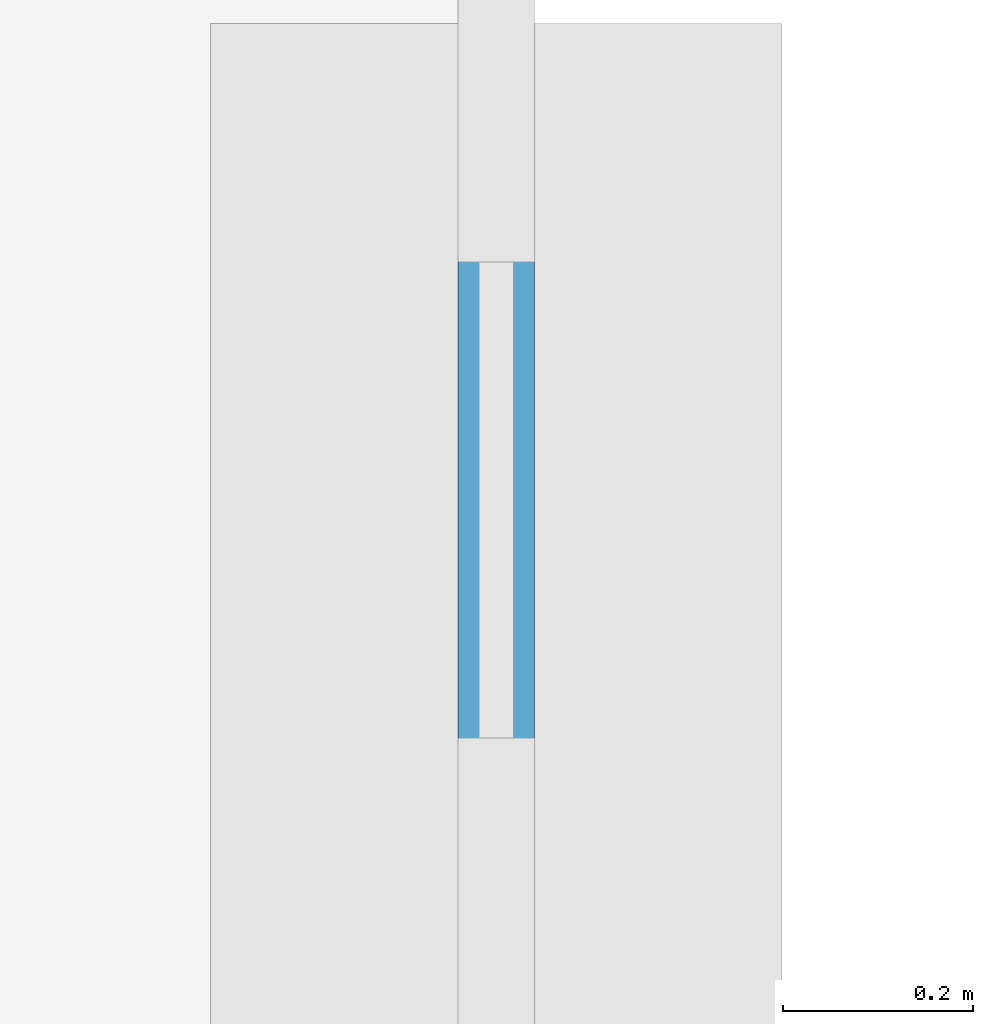
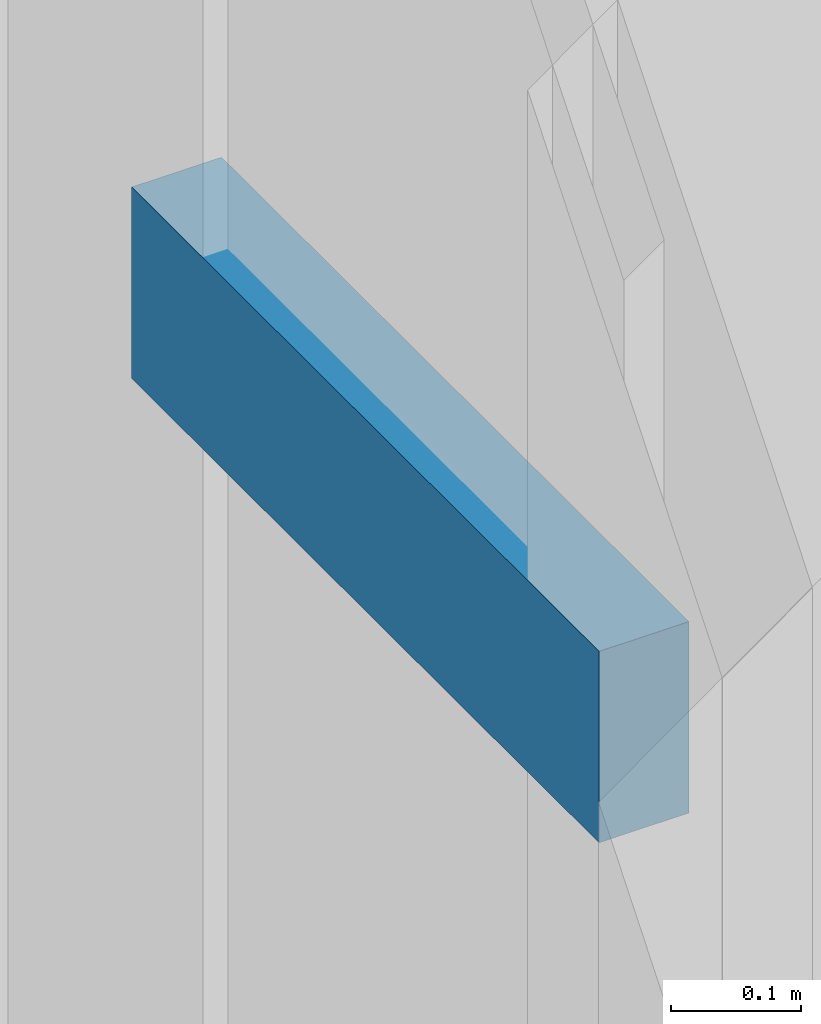
# One storey, part 10 of 33: 1 member, 1 element without a shape of its own.
"""IFC4 building model written with IfcOpenShell, lengths in metres."""

from ifc_helpers import new_model, si_unit, direction, frame, origin, origin_2d, place, context, subcontext, project, spatial, rectangle, extrude, material, material_profile, profile_set, type_object, element, aggregate, save


model = new_model("IFC4")

# Units and contexts
model_context = context("Model", 3, precision=1e-05, world=origin(), true_north=direction((0.0, 1.0)))
body_context = subcontext(model_context, "Body", "Model", "MODEL_VIEW")
ifc_project = project(units=[si_unit("LENGTHUNIT", "METRE"), si_unit("AREAUNIT", "SQUARE_METRE"), si_unit("VOLUMEUNIT", "CUBIC_METRE"), si_unit("PLANEANGLEUNIT", "RADIAN"), si_unit("MASSUNIT", "GRAM", prefix="KILO")], contexts=[model_context])

# Site, building, storey
site_placement = place(None, origin())
site = spatial("IfcSite", under=ifc_project, at=site_placement, CompositionType="ELEMENT")
building_placement = place(site_placement, origin())
building = spatial("IfcBuilding", under=site, at=building_placement, Name="Candeia Pilgrim Tower and Theatre", CompositionType="ELEMENT")
storey_placement = place(building_placement, frame((0.0, 0.0, 29.0)))
storey = spatial("IfcBuildingStorey", under=building, at=storey_placement, Name="L04", CompositionType="ELEMENT", Elevation=29.0)

# Curtain wall, member
ifc_material_1 = material(Name="Aluminium framed podium glazing", Category="aluminium")
curtain_wall_type = type_object("IfcCurtainWallType", Name="CW-P curtain wall", PredefinedType="NOTDEFINED", material=ifc_material_1)
curtain_wall_placement = place(storey_placement, origin())
curtain_wall = element("IfcCurtainWall", 1, at=curtain_wall_placement, inside=storey, type_object=curtain_wall_type, Name="Curtain wall CW-P L04.200", PredefinedType="NOTDEFINED")
ifc_material_2 = material(Name="Anodised aluminium", Category="aluminium")
ifc_material_profile = material_profile(ifc_material_2, rectangle(XDim=0.080078125, YDim=0.179931640625, at=origin_2d()))
ifc_profile_set = profile_set([ifc_material_profile], Name="Anodised aluminium")
member_type = type_object("IfcMemberType", Name="CW-P transom 80x180", PredefinedType="USERDEFINED", material=ifc_profile_set)
member_placement = place(storey_placement, frame((159.60009765625, 143.909912109375, 3.0), z_axis=(0.0, -1.0, 0.0), x_axis=(1.0, 0.0, 0.0)))
member = element("IfcMember", 2, at=member_placement, type_object=member_type, Name="CW-P transom 1.1", ObjectType="TRANSOM", PredefinedType="USERDEFINED", context=body_context, shape_type="SweptSolid", body=[
    extrude(rectangle(XDim=0.080078125, YDim=0.179931640625, at=origin_2d()), origin(), (0.0, 0.0, 1.0), 0.719970703125),
])
aggregate(curtain_wall, [member])

save(model, "model.ifc")
